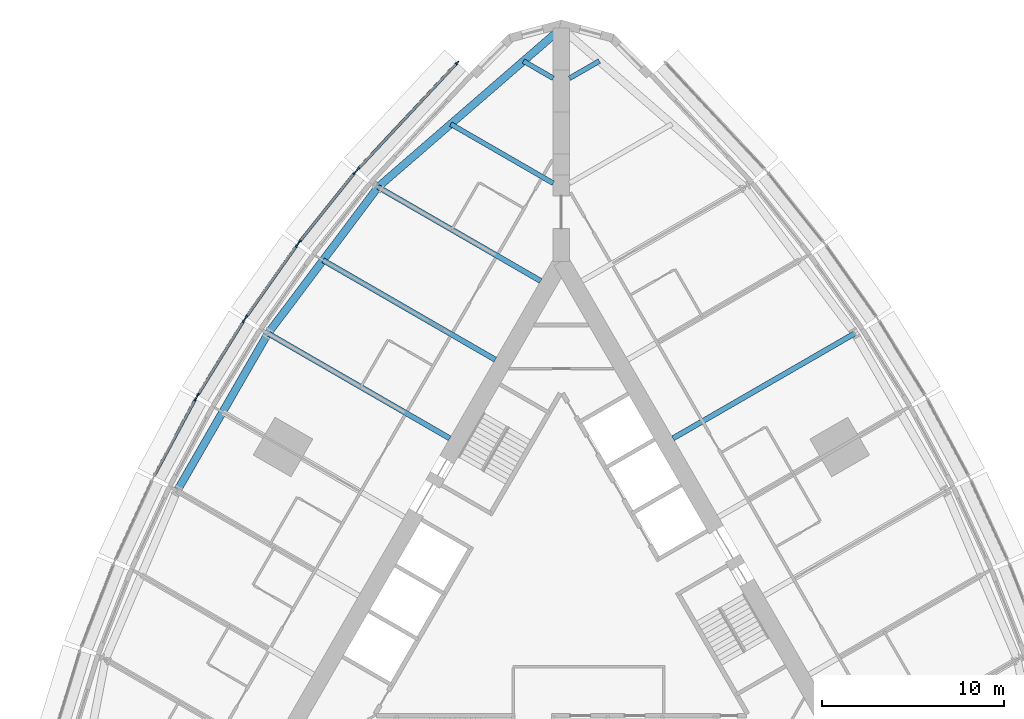
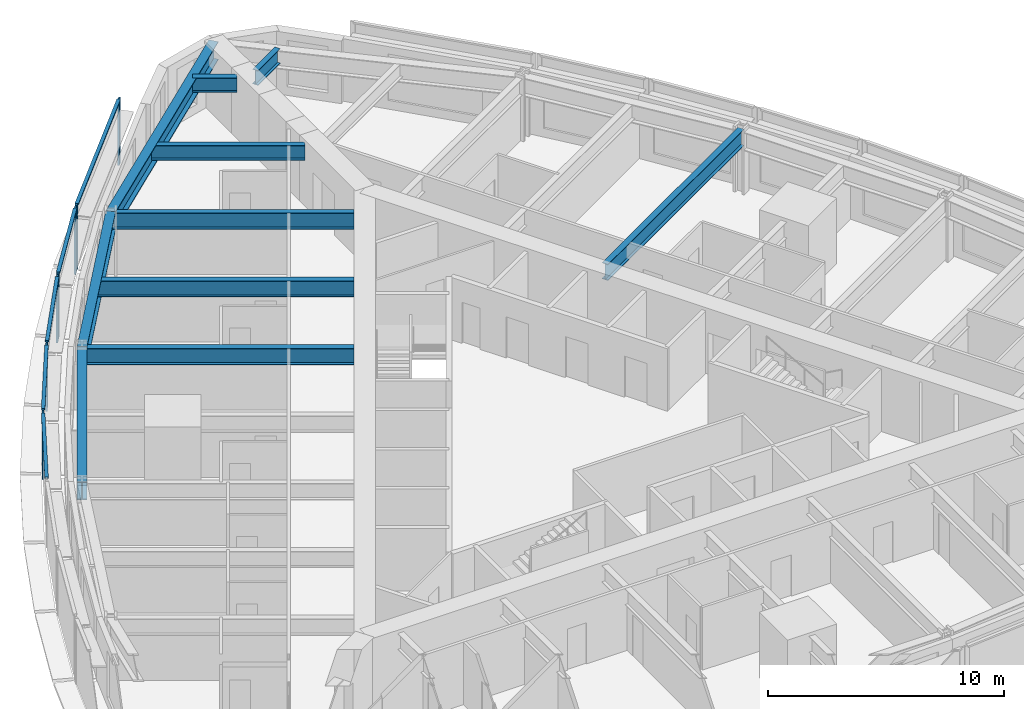
# One storey, part 4 of 14: 14 members, 10 beams, 5 elements without a shape of their own.
"""IFC4 building model written with IfcOpenShell, lengths in metres."""

from ifc_helpers import new_model, si_unit, direction, frame, origin, origin_2d, place, context, subcontext, project, spatial, rectangle, i_section, extrude, material, material_profile, profile_set, type_object, element, aggregate, save


model = new_model("IFC4")

# Units and contexts
model_context = context("Model", 3, precision=1e-05, world=origin(), true_north=direction((0.0, 1.0)))
body_context = subcontext(model_context, "Body", "Model", "MODEL_VIEW")
ifc_project = project(units=[si_unit("LENGTHUNIT", "METRE"), si_unit("AREAUNIT", "SQUARE_METRE"), si_unit("VOLUMEUNIT", "CUBIC_METRE"), si_unit("PLANEANGLEUNIT", "RADIAN"), si_unit("MASSUNIT", "GRAM", prefix="KILO")], contexts=[model_context])

# Site, building, storey
site_placement = place(None, origin())
site = spatial("IfcSite", under=ifc_project, at=site_placement, CompositionType="ELEMENT")
building_placement = place(site_placement, origin())
building = spatial("IfcBuilding", under=site, at=building_placement, Name="Trikona Tower", CompositionType="ELEMENT")
storey_placement = place(building_placement, frame((0.0, 0.0, 96.5)))
storey = spatial("IfcBuildingStorey", under=building, at=storey_placement, Name="L25", CompositionType="ELEMENT", Elevation=96.5)

# Curtain wall, members
ifc_material_1 = material(Name="Aluminium curtain wall system", Category="aluminium")
curtain_wall_type = type_object("IfcCurtainWallType", Name="Curtain wall DS1", PredefinedType="NOTDEFINED", material=ifc_material_1)
curtain_wall_1_placement = place(storey_placement, origin())
curtain_wall_1 = element("IfcCurtainWall", 1, at=curtain_wall_1_placement, inside=storey, type_object=curtain_wall_type, Name="Curtain wall DS1 L25", PredefinedType="NOTDEFINED")
ifc_material_2 = material(Name="Aluminium mullion, pale anodised", Category="aluminium")
ifc_material_profile_1 = material_profile(ifc_material_2, rectangle(XDim=0.080078125, YDim=0.219970703125, at=origin_2d()), Name="MUL-DS1")
ifc_profile_set_1 = profile_set([ifc_material_profile_1], Name="Aluminium mullion, pale anodised")
member_type_1 = type_object("IfcMemberType", Name="Mullion DS1 80x220", PredefinedType="MULLION", material=ifc_profile_set_1)
member_1_placement = place(storey_placement, frame((-5.72607421875, 29.98583984375, 0.0), z_axis=(0.0, 0.0, 1.0), x_axis=(0.731076639405, -0.682295351967, 0.0)))
member_1 = element("IfcMember", 2, at=member_1_placement, type_object=member_type_1, Name="CW-DS1 mullion 1", PredefinedType="MULLION", context=body_context, shape_type="SweptSolid", body=[
    extrude(rectangle(XDim=0.080078125, YDim=0.219970703125, at=origin_2d()), origin(), (0.0, 0.0, 1.0), 3.39990234375),
])
member_2_placement = place(storey_placement, frame((-11.192138671875, 24.129150390625, 0.0), z_axis=(0.0, 0.0, 1.0), x_axis=(0.731076639405, -0.682295351967, 0.0)))
member_2 = element("IfcMember", 3, at=member_2_placement, type_object=member_type_1, Name="CW-DS1 mullion 2", PredefinedType="MULLION", context=body_context, shape_type="SweptSolid", body=[
    extrude(rectangle(XDim=0.080078125, YDim=0.219970703125, at=origin_2d()), origin(), (0.0, 0.0, 1.0), 3.39990234375),
])

curtain_wall_2_placement = place(storey_placement, origin())
curtain_wall_2 = element("IfcCurtainWall", 4, at=curtain_wall_2_placement, inside=storey, type_object=curtain_wall_type, Name="Curtain wall DS1 L25", PredefinedType="NOTDEFINED")
member_3_placement = place(storey_placement, frame((-11.36767578125, 23.926025390625, 0.0), z_axis=(0.0, 0.0, 1.0), x_axis=(0.780937959679, -0.624608599951, 0.0)))
member_3 = element("IfcMember", 5, at=member_3_placement, type_object=member_type_1, Name="CW-DS1 mullion 1", PredefinedType="MULLION", context=body_context, shape_type="SweptSolid", body=[
    extrude(rectangle(XDim=0.080078125, YDim=0.219970703125, at=origin_2d()), origin(), (0.0, 0.0, 1.0), 3.39990234375),
])
member_4_placement = place(storey_placement, frame((-14.40185546875, 20.13232421875, 0.0), z_axis=(0.0, 0.0, 1.0), x_axis=(0.780937959679, -0.624608599951, 0.0)))
member_4 = element("IfcMember", 6, at=member_4_placement, type_object=member_type_1, Name="CW-DS1 mullion 2", PredefinedType="MULLION", context=body_context, shape_type="SweptSolid", body=[
    extrude(rectangle(XDim=0.080078125, YDim=0.219970703125, at=origin_2d()), origin(), (0.0, 0.0, 1.0), 3.39990234375),
])

curtain_wall_3_placement = place(storey_placement, origin())
curtain_wall_3 = element("IfcCurtainWall", 7, at=curtain_wall_3_placement, inside=storey, type_object=curtain_wall_type, Name="Curtain wall DS1 L25", PredefinedType="NOTDEFINED")
member_5_placement = place(storey_placement, frame((-14.554443359375, 19.929443359375, 0.0), z_axis=(0.0, 0.0, 1.0), x_axis=(0.816985393055, -0.576658362928, 0.0)))
member_5 = element("IfcMember", 8, at=member_5_placement, type_object=member_type_1, Name="CW-DS1 mullion 1", PredefinedType="MULLION", context=body_context, shape_type="SweptSolid", body=[
    extrude(rectangle(XDim=0.080078125, YDim=0.219970703125, at=origin_2d()), origin(), (0.0, 0.0, 1.0), 3.39990234375),
])
member_6_placement = place(storey_placement, frame((-17.33447265625, 15.990966796875, 0.0), z_axis=(0.0, 0.0, 1.0), x_axis=(0.816985393055, -0.576658362928, 0.0)))
member_6 = element("IfcMember", 9, at=member_6_placement, type_object=member_type_1, Name="CW-DS1 mullion 2", PredefinedType="MULLION", context=body_context, shape_type="SweptSolid", body=[
    extrude(rectangle(XDim=0.080078125, YDim=0.219970703125, at=origin_2d()), origin(), (0.0, 0.0, 1.0), 3.39990234375),
])

curtain_wall_4_placement = place(storey_placement, origin())
curtain_wall_4 = element("IfcCurtainWall", 10, at=curtain_wall_4_placement, inside=storey, type_object=curtain_wall_type, Name="Curtain wall DS1 L25", PredefinedType="NOTDEFINED")
member_7_placement = place(storey_placement, frame((-17.474853515625, 15.77880859375, 0.0), z_axis=(0.0, 0.0, 1.0), x_axis=(0.850410468941, -0.526119790842, 0.0)))
member_7 = element("IfcMember", 11, at=member_7_placement, type_object=member_type_1, Name="CW-DS1 mullion 1", PredefinedType="MULLION", context=body_context, shape_type="SweptSolid", body=[
    extrude(rectangle(XDim=0.080078125, YDim=0.219970703125, at=origin_2d()), origin(), (0.0, 0.0, 1.0), 3.39990234375),
])
member_8_placement = place(storey_placement, frame((-20.00146484375, 11.69482421875, 0.0), z_axis=(0.0, 0.0, 1.0), x_axis=(0.850410468941, -0.526119790842, 0.0)))
member_8 = element("IfcMember", 12, at=member_8_placement, type_object=member_type_1, Name="CW-DS1 mullion 2", PredefinedType="MULLION", context=body_context, shape_type="SweptSolid", body=[
    extrude(rectangle(XDim=0.080078125, YDim=0.219970703125, at=origin_2d()), origin(), (0.0, 0.0, 1.0), 3.39990234375),
])

# Curtain wall, member
curtain_wall_5_placement = place(storey_placement, origin())
curtain_wall_5 = element("IfcCurtainWall", 13, at=curtain_wall_5_placement, inside=storey, type_object=curtain_wall_type, Name="Curtain wall DS1 L25", PredefinedType="NOTDEFINED")
member_9_placement = place(storey_placement, frame((-20.128662109375, 11.474365234375, 0.0), z_axis=(0.0, 0.0, 1.0), x_axis=(0.880843080975, -0.473408350896, 0.0)))
member_9 = element("IfcMember", 14, at=member_9_placement, type_object=member_type_1, Name="CW-DS1 mullion 1", PredefinedType="MULLION", context=body_context, shape_type="SweptSolid", body=[
    extrude(rectangle(XDim=0.080078125, YDim=0.219970703125, at=origin_2d()), origin(), (0.0, 0.0, 1.0), 3.39990234375),
])

# Beams
ifc_material_3 = material(Name="Steel ASTM A992 Grade 50", Category="steel")
ifc_material_profile_2 = material_profile(ifc_material_3, i_section(OverallWidth=0.2666015625, OverallDepth=0.76953125, WebThickness=0.015625, FlangeThickness=0.025390625, at=origin_2d()), Name="W30X132")
ifc_profile_set_2 = profile_set([ifc_material_profile_2], Name="Steel ASTM A992 Grade 50")
beam_type_1 = type_object("IfcBeamType", Name="Steel beam W30x132 (wedge)", PredefinedType="BEAM", material=ifc_profile_set_2)
for number, where, z_axis, x_axis, name in (
    (15, (0.449951171875, 29.127197265625, 2.85009765625), (0.866009237431, 0.5000279999, 0.0), (-0.5000279999, 0.866009237431, 0.0), "Floor beam L26 F2 u25"),
    (16, (-0.449951171875, 29.127197265625, 2.85009765625), (-0.866009237431, 0.5000279999, 0.0), (-0.5000279999, -0.866009237431, 0.0), "Floor beam L26 F3 u-25"),
):
    element("IfcBeam", number, at=place(storey_placement, frame(where, z_axis=z_axis, x_axis=x_axis)), inside=storey, type_object=beam_type_1, Name=name, PredefinedType="BEAM", context=body_context, shape_type="SweptSolid", body=[
        extrude(i_section(OverallWidth=0.2666015625, OverallDepth=0.76953125, WebThickness=0.015625, FlangeThickness=0.025390625, at=origin_2d()), origin(), (0.0, 0.0, 1.0), 1.890625),
    ])
beam_1_placement = place(storey_placement, frame((-0.449951171875, 23.353759765625, 2.85009765625), z_axis=(-0.866022504693, 0.50000502134, 0.0), x_axis=(-0.50000502134, -0.866022504693, 0.0)))
element("IfcBeam", 17, at=beam_1_placement, inside=storey, type_object=beam_type_1, Name="Floor beam L26 F3 u-20", PredefinedType="BEAM", context=body_context, shape_type="SweptSolid", body=[
    extrude(i_section(OverallWidth=0.2666015625, OverallDepth=0.76953125, WebThickness=0.015625, FlangeThickness=0.025390625, at=origin_2d()), origin(), (0.0, 0.0, 1.0), 6.5068359375),
])
ifc_material_4 = material(Name="Steel ASTM A992 Grade 50", Category="steel")
ifc_material_profile_3 = material_profile(ifc_material_4, i_section(OverallWidth=0.2919921875, OverallDepth=0.845703125, WebThickness=0.015380859375, FlangeThickness=0.0244140625, at=origin_2d()), Name="W33X141")
ifc_profile_set_3 = profile_set([ifc_material_profile_3], Name="Steel ASTM A992 Grade 50")
beam_type_2 = type_object("IfcBeamType", Name="Steel beam W33x141 (radial typ)", PredefinedType="BEAM", material=ifc_profile_set_3)
beam_2_placement = place(storey_placement, frame((6.1396484375, 9.318359375, 2.81201171875), z_axis=(0.866029923217, 0.499992172032, 0.0), x_axis=(-0.499992172032, 0.866029923217, 0.0)))
element("IfcBeam", 18, at=beam_2_placement, inside=storey, type_object=beam_type_2, Name="Floor beam L26 F2 u5", PredefinedType="BEAM", context=body_context, shape_type="SweptSolid", body=[
    extrude(i_section(OverallWidth=0.2919921875, OverallDepth=0.845703125, WebThickness=0.015380859375, FlangeThickness=0.0244140625, at=origin_2d()), origin(), (0.0, 0.0, 1.0), 11.544189453125),
])
beam_3_placement = place(storey_placement, frame((-1.1396484375, 17.978515625, 2.81201171875), z_axis=(-0.866030471684, 0.499991222037, 0.0), x_axis=(-0.499991222037, -0.866030471684, 0.0)))
element("IfcBeam", 19, at=beam_3_placement, inside=storey, type_object=beam_type_2, Name="Floor beam L26 F3 u-15", PredefinedType="BEAM", context=body_context, shape_type="SweptSolid", body=[
    extrude(i_section(OverallWidth=0.2919921875, OverallDepth=0.845703125, WebThickness=0.015380859375, FlangeThickness=0.0244140625, at=origin_2d()), origin(), (0.0, 0.0, 1.0), 10.326904296875),
])
beam_4_placement = place(storey_placement, frame((-3.6396484375, 13.6484375, 2.81201171875), z_axis=(-0.866025348605, 0.500000095573, 0.0), x_axis=(-0.500000095573, -0.866025348605, 0.0)))
element("IfcBeam", 20, at=beam_4_placement, inside=storey, type_object=beam_type_2, Name="Floor beam L26 F3 u-10", PredefinedType="BEAM", context=body_context, shape_type="SweptSolid", body=[
    extrude(i_section(OverallWidth=0.2919921875, OverallDepth=0.845703125, WebThickness=0.015380859375, FlangeThickness=0.0244140625, at=origin_2d()), origin(), (0.0, 0.0, 1.0), 10.935546875),
])
beam_5_placement = place(storey_placement, frame((-6.1396484375, 9.318359375, 2.81201171875), z_axis=(-0.866029923217, 0.499992172032, 0.0), x_axis=(-0.499992172032, -0.866029923217, 0.0)))
element("IfcBeam", 21, at=beam_5_placement, inside=storey, type_object=beam_type_2, Name="Floor beam L26 F3 u-5", PredefinedType="BEAM", context=body_context, shape_type="SweptSolid", body=[
    extrude(i_section(OverallWidth=0.2919921875, OverallDepth=0.845703125, WebThickness=0.015380859375, FlangeThickness=0.0244140625, at=origin_2d()), origin(), (0.0, 0.0, 1.0), 11.544189453125),
])
ifc_material_5 = material(Name="Steel ASTM A992 Grade 50", Category="steel")
ifc_material_profile_4 = material_profile(ifc_material_5, i_section(OverallWidth=0.424072265625, OverallDepth=0.947509765625, WebThickness=0.02392578125, FlangeThickness=0.042724609375, at=origin_2d()), Name="W36X302")
ifc_profile_set_4 = profile_set([ifc_material_profile_4], Name="Steel ASTM A992 Grade 50")
beam_type_3 = type_object("IfcBeamType", Name="Steel beam W36x302 (spandrel)", PredefinedType="SPANDREL", material=ifc_profile_set_4)
beam_6_placement = place(storey_placement, frame((0.0, 31.881591796875, 2.76123046875), z_axis=(-0.755646822726, -0.654979296851, 0.0), x_axis=(0.654979296851, -0.755646822726, 0.0)))
element("IfcBeam", 22, at=beam_6_placement, inside=storey, type_object=beam_type_3, Name="Spandrel beam L26 F3-1", PredefinedType="SPANDREL", context=body_context, shape_type="SweptSolid", body=[
    extrude(i_section(OverallWidth=0.424072265625, OverallDepth=0.947509765625, WebThickness=0.02392578125, FlangeThickness=0.042724609375, at=origin_2d()), origin(), (0.0, 0.0, 1.0), 13.343505859375),
])
beam_7_placement = place(storey_placement, frame((-10.0830078125, 23.141845703125, 2.76123046875), z_axis=(-0.600988344191, -0.799257787042, 0.0), x_axis=(0.799257787042, -0.600988344191, 0.0)))
element("IfcBeam", 23, at=beam_7_placement, inside=storey, type_object=beam_type_3, Name="Spandrel beam L26 F3-2", PredefinedType="SPANDREL", context=body_context, shape_type="SweptSolid", body=[
    extrude(i_section(OverallWidth=0.424072265625, OverallDepth=0.947509765625, WebThickness=0.02392578125, FlangeThickness=0.042724609375, at=origin_2d()), origin(), (0.0, 0.0, 1.0), 10.07373046875),
])
beam_8_placement = place(storey_placement, frame((-16.13720703125, 15.09033203125, 2.76123046875), z_axis=(-0.500004234368, -0.866022959057, 0.0), x_axis=(0.866022959057, -0.500004234368, 0.0)))
element("IfcBeam", 24, at=beam_8_placement, inside=storey, type_object=beam_type_3, Name="Spandrel beam L26 F3-3", PredefinedType="SPANDREL", context=body_context, shape_type="SweptSolid", body=[
    extrude(i_section(OverallWidth=0.424072265625, OverallDepth=0.947509765625, WebThickness=0.02392578125, FlangeThickness=0.042724609375, at=origin_2d()), origin(), (0.0, 0.0, 1.0), 10.0),
])

# Member
ifc_material_6 = material(Name="Aluminium transom, pale anodised", Category="aluminium")
ifc_material_profile_5 = material_profile(ifc_material_6, rectangle(XDim=0.159912109375, YDim=0.080078125, at=origin_2d()), Name="TRN-DS1")
ifc_profile_set_5 = profile_set([ifc_material_profile_5], Name="Aluminium transom, pale anodised")
member_type_2 = type_object("IfcMemberType", Name="Transom DS1 80x160", PredefinedType="USERDEFINED", material=ifc_profile_set_5)
member_10_placement = place(storey_placement, frame((-5.75341796875, 29.95654296875, 3.360107421875), z_axis=(-0.682290830921, -0.731080858758, 0.0), x_axis=(0.731080858758, -0.682290830921, 0.0)))
member_10 = element("IfcMember", 25, at=member_10_placement, type_object=member_type_2, Name="CW-DS1 transom 1.1", ObjectType="TRANSOM", PredefinedType="USERDEFINED", context=body_context, shape_type="SweptSolid", body=[
    extrude(rectangle(XDim=0.159912109375, YDim=0.080078125, at=origin_2d()), origin(), (0.0, 0.0, 1.0), 7.93115234375),
])

aggregate(curtain_wall_1, [member_1, member_2, member_10])

member_11_placement = place(storey_placement, frame((-11.392822265625, 23.894775390625, 3.360107421875), z_axis=(-0.624589103832, -0.780953552636, 0.0), x_axis=(0.780953552636, -0.624589103832, 0.0)))
member_11 = element("IfcMember", 26, at=member_11_placement, type_object=member_type_2, Name="CW-DS1 transom 1.1", ObjectType="TRANSOM", PredefinedType="USERDEFINED", context=body_context, shape_type="SweptSolid", body=[
    extrude(rectangle(XDim=0.159912109375, YDim=0.080078125, at=origin_2d()), origin(), (0.0, 0.0, 1.0), 4.77783203125),
])

aggregate(curtain_wall_2, [member_3, member_4, member_11])

member_12_placement = place(storey_placement, frame((-14.57763671875, 19.896728515625, 3.360107421875), z_axis=(-0.57664478015, -0.816994980111, 0.0), x_axis=(0.816994980111, -0.57664478015, 0.0)))
member_12 = element("IfcMember", 27, at=member_12_placement, type_object=member_type_2, Name="CW-DS1 transom 1.1", ObjectType="TRANSOM", PredefinedType="USERDEFINED", context=body_context, shape_type="SweptSolid", body=[
    extrude(rectangle(XDim=0.159912109375, YDim=0.080078125, at=origin_2d()), origin(), (0.0, 0.0, 1.0), 4.740478515625),
])

aggregate(curtain_wall_3, [member_5, member_6, member_12])

member_13_placement = place(storey_placement, frame((-17.495849609375, 15.744873046875, 3.360107421875), z_axis=(-0.526080502257, -0.850434774186, 0.0), x_axis=(0.850434774186, -0.526080502257, 0.0)))
member_13 = element("IfcMember", 28, at=member_13_placement, type_object=member_type_2, Name="CW-DS1 transom 1.1", ObjectType="TRANSOM", PredefinedType="USERDEFINED", context=body_context, shape_type="SweptSolid", body=[
    extrude(rectangle(XDim=0.159912109375, YDim=0.080078125, at=origin_2d()), origin(), (0.0, 0.0, 1.0), 4.722412109375),
])

aggregate(curtain_wall_4, [member_7, member_8, member_13])

member_14_placement = place(storey_placement, frame((-20.147705078125, 11.43896484375, 3.360107421875), z_axis=(-0.473427569755, -0.880832751546, 0.0), x_axis=(0.880832751546, -0.473427569755, 0.0)))
member_14 = element("IfcMember", 29, at=member_14_placement, type_object=member_type_2, Name="CW-DS1 transom 1.1", ObjectType="TRANSOM", PredefinedType="USERDEFINED", context=body_context, shape_type="SweptSolid", body=[
    extrude(rectangle(XDim=0.159912109375, YDim=0.080078125, at=origin_2d()), origin(), (0.0, 0.0, 1.0), 4.72216796875),
])

aggregate(curtain_wall_5, [member_9, member_14])

save(model, "model.ifc")
